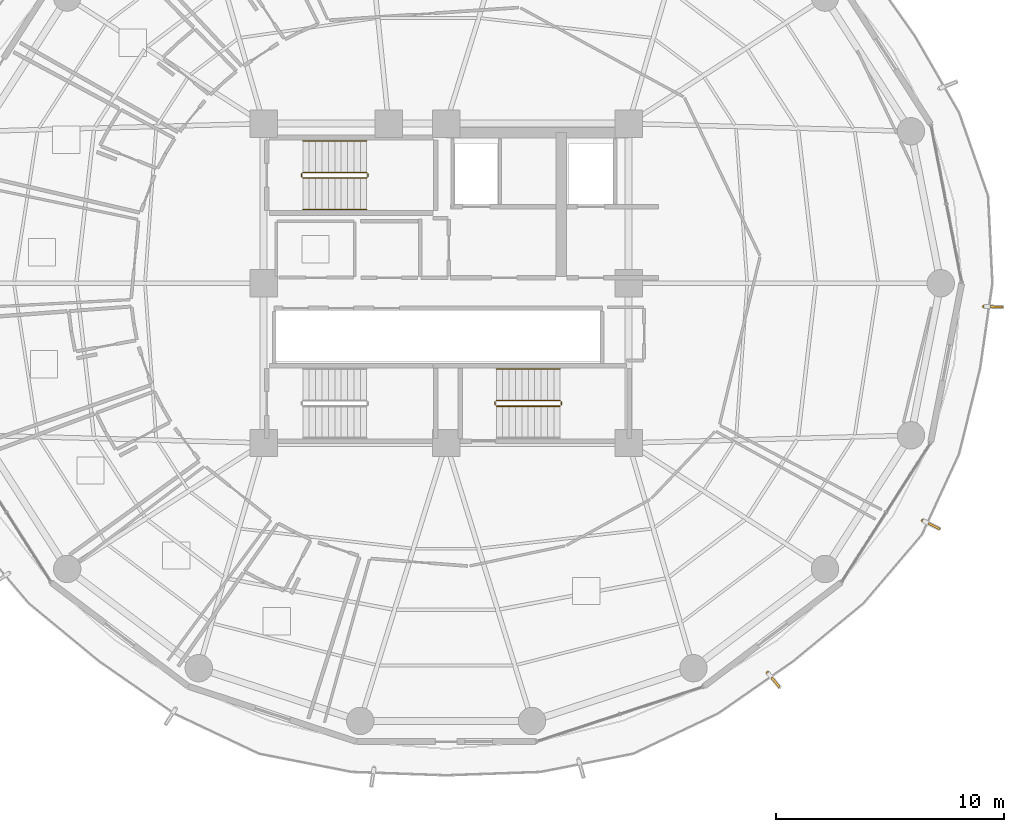
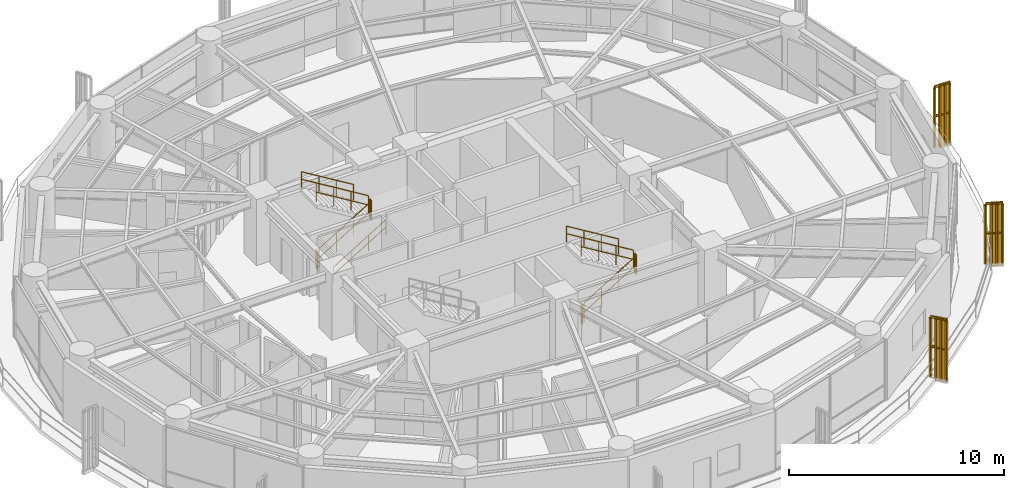
# One storey, part 28 of 29: 14 railings, 3 shading devices.
"""IFC4 building model written with IfcOpenShell, lengths in metres."""

from ifc_helpers import new_model, si_unit, direction, frame, origin, origin_2d, place, context, subcontext, project, spatial, polyline, rectangle, outline, extrude, source, transform, mapped, material, type_object, element, save


model = new_model("IFC4")

# Units and contexts
model_context = context("Model", 3, precision=1e-05, world=origin(), true_north=direction((0.0, 1.0)))
body_context = subcontext(model_context, "Body", "Model", "MODEL_VIEW")
ifc_project = project(units=[si_unit("LENGTHUNIT", "METRE"), si_unit("AREAUNIT", "SQUARE_METRE"), si_unit("VOLUMEUNIT", "CUBIC_METRE"), si_unit("PLANEANGLEUNIT", "RADIAN"), si_unit("MASSUNIT", "GRAM", prefix="KILO")], contexts=[model_context])

# Site, building, storey
site_placement = place(None, origin())
site = spatial("IfcSite", under=ifc_project, at=site_placement, CompositionType="ELEMENT")
building_placement = place(site_placement, origin())
building = spatial("IfcBuilding", under=site, at=building_placement, Name="Kelanora Arch Commons", CompositionType="ELEMENT")
storey_placement = place(building_placement, frame((0.0, 0.0, 135.60009765625)))
storey = spatial("IfcBuildingStorey", under=building, at=storey_placement, Name="L34", CompositionType="ELEMENT", Elevation=135.60009765625)

# Railings
ifc_material_1 = material(Name="Anodised bronze vertical shading fin rib assembly")
railing_type_1 = type_object("IfcRailingType", Name="RAIL-FIN-BRZ", PredefinedType="BALUSTRADE", material=ifc_material_1)
railing_1_placement = place(storey_placement, frame((88.09521484375, 40.9267578125, -0.02001953125)))
element("IfcRailing", 1, at=railing_1_placement, inside=storey, type_object=railing_type_1, Name="Sweeping Bronze Vertical Fin Blade L34-12", PredefinedType="BALUSTRADE", context=body_context, shape_type="SweptSolid", body=[
    extrude(outline(polyline([(0.06982421875, 0.0), (0.034912109375, 0.060546875), (-0.034912109375, 0.060546875), (-0.06982421875, 0.0), (-0.034912109375, -0.060546875), (0.034912109375, -0.060546875), (0.06982421875, 0.0)])), frame((0.0, 0.0, 3.419921875), z_axis=(0.636605372626, -0.771189729926, 0.0), x_axis=(0.771189729926, 0.636605372626, 0.0)), (0.0, 0.0, 1.0), 0.800048828125),
    extrude(outline(polyline([(0.06982421875, 0.0), (0.034912109375, 0.060546875), (-0.034912109375, 0.060546875), (-0.06982421875, 0.0), (-0.034912109375, -0.060546875), (0.034912109375, -0.060546875), (0.06982421875, 0.0)])), frame((0.0, 0.0, 1.7451171875), z_axis=(0.636605372626, -0.771189729926, 0.0), x_axis=(0.771189729926, 0.636605372626, 0.0)), (0.0, 0.0, 1.0), 0.800048828125),
    extrude(outline(polyline([(0.080078125, 0.0), (0.0400390625, 0.0693359375), (-0.0400390625, 0.0693359375), (-0.080078125, 0.0), (-0.0400390625, -0.0693359375), (0.0400390625, -0.0693359375), (0.080078125, 0.0)])), origin(), (0.0, 0.0, 1.0), 3.35009765625),
    extrude(outline(polyline([(0.080078125, 0.0), (0.0400390625, 0.0693359375), (-0.0400390625, 0.0693359375), (-0.080078125, 0.0), (-0.0400390625, -0.0693359375), (0.0400390625, -0.0693359375), (0.080078125, 0.0)])), frame((0.169677734375, -0.20556640625, 0.0)), (0.0, 0.0, 1.0), 3.35009765625),
    extrude(outline(polyline([(0.080078125, 0.0), (0.0400390625, 0.0693359375), (-0.0400390625, 0.0693359375), (-0.080078125, 0.0), (-0.0400390625, -0.0693359375), (0.0400390625, -0.0693359375), (0.080078125, 0.0)])), frame((0.339599609375, -0.411376953125, 0.0)), (0.0, 0.0, 1.0), 3.35009765625),
    extrude(outline(polyline([(0.080078125, 0.0), (0.0400390625, 0.0693359375), (-0.0400390625, 0.0693359375), (-0.080078125, 0.0), (-0.0400390625, -0.0693359375), (0.0400390625, -0.0693359375), (0.080078125, 0.0)])), frame((0.50927734375, -0.616943359375, 0.0)), (0.0, 0.0, 1.0), 3.35009765625),
])
railing_2_placement = place(storey_placement, frame((94.89501953125, 47.601318359375, -0.02001953125)))
element("IfcRailing", 2, at=railing_2_placement, inside=storey, type_object=railing_type_1, Name="Sweeping Bronze Vertical Fin Blade L34-13", PredefinedType="BALUSTRADE", context=body_context, shape_type="SweptSolid", body=[
    extrude(outline(polyline([(0.06982421875, 0.0), (0.034912109375, 0.060546875), (-0.034912109375, 0.060546875), (-0.06982421875, 0.0), (-0.034912109375, -0.060546875), (0.034912109375, -0.060546875), (0.06982421875, 0.0)])), frame((0.0, 0.0, 3.419921875), z_axis=(0.895158227857, -0.445748524506, 0.0), x_axis=(0.445748524506, 0.895158227857, 0.0)), (0.0, 0.0, 1.0), 0.80029296875),
    extrude(outline(polyline([(0.06982421875, 0.0), (0.034912109375, 0.060546875), (-0.034912109375, 0.060546875), (-0.06982421875, 0.0), (-0.034912109375, -0.060546875), (0.034912109375, -0.060546875), (0.06982421875, 0.0)])), frame((0.0, 0.0, 1.7451171875), z_axis=(0.895158227857, -0.445748524506, 0.0), x_axis=(0.445748524506, 0.895158227857, 0.0)), (0.0, 0.0, 1.0), 0.80029296875),
    extrude(outline(polyline([(0.080078125, 0.0), (0.0400390625, 0.0693359375), (-0.0400390625, 0.0693359375), (-0.080078125, 0.0), (-0.0400390625, -0.0693359375), (0.0400390625, -0.0693359375), (0.080078125, 0.0)])), origin(), (0.0, 0.0, 1.0), 3.35009765625),
    extrude(outline(polyline([(0.080078125, 0.0), (0.0400390625, 0.0693359375), (-0.0400390625, 0.0693359375), (-0.080078125, 0.0), (-0.0400390625, -0.0693359375), (0.0400390625, -0.0693359375), (0.080078125, 0.0)])), frame((0.23876953125, -0.118896484375, 0.0)), (0.0, 0.0, 1.0), 3.35009765625),
    extrude(outline(polyline([(0.080078125, 0.0), (0.0400390625, 0.0693359375), (-0.0400390625, 0.0693359375), (-0.080078125, 0.0), (-0.0400390625, -0.0693359375), (0.0400390625, -0.0693359375), (0.080078125, 0.0)])), frame((0.4775390625, -0.23779296875, 0.0)), (0.0, 0.0, 1.0), 3.35009765625),
    extrude(outline(polyline([(0.080078125, 0.0), (0.0400390625, 0.0693359375), (-0.0400390625, 0.0693359375), (-0.080078125, 0.0), (-0.0400390625, -0.0693359375), (0.0400390625, -0.0693359375), (0.080078125, 0.0)])), frame((0.71630859375, -0.356689453125, 0.0)), (0.0, 0.0, 1.0), 3.35009765625),
])
railing_3_placement = place(storey_placement, frame((97.572265625, 56.988037109375, -0.02001953125)))
element("IfcRailing", 3, at=railing_3_placement, inside=storey, type_object=railing_type_1, Name="Sweeping Bronze Vertical Fin Blade L34-14", PredefinedType="BALUSTRADE", context=body_context, shape_type="SweptSolid", body=[
    extrude(outline(polyline([(0.06982421875, 0.0), (0.034912109375, 0.060546875), (-0.034912109375, 0.060546875), (-0.06982421875, 0.0), (-0.034912109375, -0.060546875), (0.034912109375, -0.060546875), (0.06982421875, 0.0)])), frame((0.0, 0.0, 3.419921875), z_axis=(0.999086993986, -0.042722107257, 0.0), x_axis=(0.042722107257, 0.999086993986, 0.0)), (0.0, 0.0, 1.0), 0.800048828125),
    extrude(outline(polyline([(0.06982421875, 0.0), (0.034912109375, 0.060546875), (-0.034912109375, 0.060546875), (-0.06982421875, 0.0), (-0.034912109375, -0.060546875), (0.034912109375, -0.060546875), (0.06982421875, 0.0)])), frame((0.0, 0.0, 1.7451171875), z_axis=(0.999086993986, -0.042722107257, 0.0), x_axis=(0.042722107257, 0.999086993986, 0.0)), (0.0, 0.0, 1.0), 0.800048828125),
    extrude(outline(polyline([(0.080078125, 0.0), (0.0400390625, 0.0693359375), (-0.0400390625, 0.0693359375), (-0.080078125, 0.0), (-0.0400390625, -0.0693359375), (0.0400390625, -0.0693359375), (0.080078125, 0.0)])), origin(), (0.0, 0.0, 1.0), 3.35009765625),
    extrude(outline(polyline([(0.080078125, 0.0), (0.0400390625, 0.0693359375), (-0.0400390625, 0.0693359375), (-0.080078125, 0.0), (-0.0400390625, -0.0693359375), (0.0400390625, -0.0693359375), (0.080078125, 0.0)])), frame((0.266357421875, -0.011474609375, 0.0)), (0.0, 0.0, 1.0), 3.35009765625),
    extrude(outline(polyline([(0.080078125, 0.0), (0.0400390625, 0.0693359375), (-0.0400390625, 0.0693359375), (-0.080078125, 0.0), (-0.0400390625, -0.0693359375), (0.0400390625, -0.0693359375), (0.080078125, 0.0)])), frame((0.532958984375, -0.022705078125, 0.0)), (0.0, 0.0, 1.0), 3.35009765625),
    extrude(outline(polyline([(0.080078125, 0.0), (0.0400390625, 0.0693359375), (-0.0400390625, 0.0693359375), (-0.080078125, 0.0), (-0.0400390625, -0.0693359375), (0.0400390625, -0.0693359375), (0.080078125, 0.0)])), frame((0.79931640625, -0.0341796875, 0.0)), (0.0, 0.0, 1.0), 3.35009765625),
])
ifc_material_2 = material(Name="Painted steel stair well guard", Category="steel")
railing_type_2 = type_object("IfcRailingType", Name="RAIL-STAIR-GRD", PredefinedType="GUARDRAIL", material=ifc_material_2)
railing_4_placement = place(storey_placement, frame((67.719970703125, 62.610107421875, 0.17041015625)))
element("IfcRailing", 4, at=railing_4_placement, inside=storey, type_object=railing_type_2, Name="L34 ST-T1 stair guard 1", PredefinedType="GUARDRAIL", context=body_context, shape_type="SweptSolid", body=[
    extrude(outline(polyline([(0.02392578125, 0.0), (0.011962890625, 0.020751953125), (-0.011962890625, 0.020751953125), (-0.02392578125, 0.0), (-0.011962890625, -0.020751953125), (0.011962890625, -0.020751953125), (0.02392578125, 0.0)])), frame((0.0, 0.0, 1.076171875), z_axis=(0.854169791009, 0.0, 0.51999420009), x_axis=(0.0, 1.0, 0.0)), (0.0, 0.0, 1.0), 3.278076171875),
    extrude(outline(polyline([(0.02392578125, 0.0), (0.011962890625, 0.020751953125), (-0.011962890625, 0.020751953125), (-0.02392578125, 0.0), (-0.011962890625, -0.020751953125), (0.011962890625, -0.020751953125), (0.02392578125, 0.0)])), frame((0.0, 0.0, 0.550048828125), z_axis=(0.854169791009, 0.0, 0.51999420009), x_axis=(0.0, 1.0, 0.0)), (0.0, 0.0, 1.0), 3.278076171875),
    extrude(outline(polyline([(0.02099609375, 0.0), (0.010498046875, 0.01806640625), (-0.010498046875, 0.01806640625), (-0.02099609375, 0.0), (-0.010498046875, -0.01806640625), (0.010498046875, -0.01806640625), (0.02099609375, 0.0)])), origin(), (0.0, 0.0, 1.0), 1.052001953125),
    extrude(outline(polyline([(0.02099609375, 0.0), (0.010498046875, 0.01806640625), (-0.010498046875, 0.01806640625), (-0.02099609375, 0.0), (-0.010498046875, -0.01806640625), (0.010498046875, -0.01806640625), (0.02099609375, 0.0)])), frame((0.933349609375, 0.0, 0.568115234375)), (0.0, 0.0, 1.0), 1.052001953125),
    extrude(outline(polyline([(0.02099609375, 0.0), (0.010498046875, 0.01806640625), (-0.010498046875, 0.01806640625), (-0.02099609375, 0.0), (-0.010498046875, -0.01806640625), (0.010498046875, -0.01806640625), (0.02099609375, 0.0)])), frame((1.86669921875, 0.0, 1.136474609375)), (0.0, 0.0, 1.0), 1.052001953125),
    extrude(outline(polyline([(0.02099609375, 0.0), (0.010498046875, 0.01806640625), (-0.010498046875, 0.01806640625), (-0.02099609375, 0.0), (-0.010498046875, -0.01806640625), (0.010498046875, -0.01806640625), (0.02099609375, 0.0)])), frame((2.800048828125, 0.0, 1.70458984375)), (0.0, 0.0, 1.0), 1.052001953125),
])
railing_5_placement = place(storey_placement, frame((70.570068359375, 62.659912109375, 1.875)))
element("IfcRailing", 5, at=railing_5_placement, inside=storey, type_object=railing_type_2, Name="L34 ST-T1 stair guard 2", PredefinedType="GUARDRAIL", context=body_context, shape_type="SweptSolid", body=[
    extrude(outline(polyline([(0.02392578125, 0.0), (0.011962890625, 0.020751953125), (-0.011962890625, 0.020751953125), (-0.02392578125, 0.0), (-0.011962890625, -0.020751953125), (0.011962890625, -0.020751953125), (0.02392578125, 0.0)])), frame((0.0, 0.0, 1.076171875), z_axis=(0.0, 1.0, 0.0), x_axis=(-1.0, 0.0, 0.0)), (0.0, 0.0, 1.0), 0.150146484375),
    extrude(outline(polyline([(0.02392578125, 0.0), (0.011962890625, 0.020751953125), (-0.011962890625, 0.020751953125), (-0.02392578125, 0.0), (-0.011962890625, -0.020751953125), (0.011962890625, -0.020751953125), (0.02392578125, 0.0)])), frame((0.0, 0.0, 0.550048828125), z_axis=(0.0, 1.0, 0.0), x_axis=(-1.0, 0.0, 0.0)), (0.0, 0.0, 1.0), 0.150146484375),
    extrude(outline(polyline([(0.02099609375, 0.0), (0.010498046875, 0.01806640625), (-0.010498046875, 0.01806640625), (-0.02099609375, 0.0), (-0.010498046875, -0.01806640625), (0.010498046875, -0.01806640625), (0.02099609375, 0.0)])), origin(), (0.0, 0.0, 1.0), 1.052001953125),
    extrude(outline(polyline([(0.02099609375, 0.0), (0.010498046875, 0.01806640625), (-0.010498046875, 0.01806640625), (-0.02099609375, 0.0), (-0.010498046875, -0.01806640625), (0.010498046875, -0.01806640625), (0.02099609375, 0.0)])), frame((0.0, 0.150146484375, 0.0)), (0.0, 0.0, 1.0), 1.052001953125),
])
railing_6_placement = place(storey_placement, frame((70.52001953125, 62.860107421875, 2.04541015625)))
element("IfcRailing", 6, at=railing_6_placement, inside=storey, type_object=railing_type_2, Name="L34 ST-T1 stair guard 3", PredefinedType="GUARDRAIL", context=body_context, shape_type="SweptSolid", body=[
    extrude(outline(polyline([(0.02392578125, 0.0), (0.011962890625, 0.020751953125), (-0.011962890625, 0.020751953125), (-0.02392578125, 0.0), (-0.011962890625, -0.020751953125), (0.011962890625, -0.020751953125), (0.02392578125, 0.0)])), frame((0.0, 0.0, 1.076171875), z_axis=(-0.854169791009, 0.0, 0.51999420009), x_axis=(0.0, -1.0, 0.0)), (0.0, 0.0, 1.0), 3.278076171875),
    extrude(outline(polyline([(0.02392578125, 0.0), (0.011962890625, 0.020751953125), (-0.011962890625, 0.020751953125), (-0.02392578125, 0.0), (-0.011962890625, -0.020751953125), (0.011962890625, -0.020751953125), (0.02392578125, 0.0)])), frame((0.0, 0.0, 0.550048828125), z_axis=(-0.854169791009, 0.0, 0.51999420009), x_axis=(0.0, -1.0, 0.0)), (0.0, 0.0, 1.0), 3.278076171875),
    extrude(outline(polyline([(0.02099609375, 0.0), (0.010498046875, 0.01806640625), (-0.010498046875, 0.01806640625), (-0.02099609375, 0.0), (-0.010498046875, -0.01806640625), (0.010498046875, -0.01806640625), (0.02099609375, 0.0)])), origin(), (0.0, 0.0, 1.0), 1.052001953125),
    extrude(outline(polyline([(0.02099609375, 0.0), (0.010498046875, 0.01806640625), (-0.010498046875, 0.01806640625), (-0.02099609375, 0.0), (-0.010498046875, -0.01806640625), (0.010498046875, -0.01806640625), (0.02099609375, 0.0)])), frame((-0.933349609375, 0.0, 0.568115234375)), (0.0, 0.0, 1.0), 1.052001953125),
    extrude(outline(polyline([(0.02099609375, 0.0), (0.010498046875, 0.01806640625), (-0.010498046875, 0.01806640625), (-0.02099609375, 0.0), (-0.010498046875, -0.01806640625), (0.010498046875, -0.01806640625), (0.02099609375, 0.0)])), frame((-1.86669921875, 0.0, 1.136474609375)), (0.0, 0.0, 1.0), 1.052001953125),
    extrude(outline(polyline([(0.02099609375, 0.0), (0.010498046875, 0.01806640625), (-0.010498046875, 0.01806640625), (-0.02099609375, 0.0), (-0.010498046875, -0.01806640625), (0.010498046875, -0.01806640625), (0.02099609375, 0.0)])), frame((-2.800048828125, 0.0, 1.70458984375)), (0.0, 0.0, 1.0), 1.052001953125),
])
railing_7_placement = place(storey_placement, frame((67.669921875, 62.659912109375, 0.0)))
element("IfcRailing", 7, at=railing_7_placement, inside=storey, type_object=railing_type_2, Name="L34 ST-T1 stair guard 4", PredefinedType="GUARDRAIL", context=body_context, shape_type="SweptSolid", body=[
    extrude(outline(polyline([(0.02392578125, 0.0), (0.011962890625, 0.020751953125), (-0.011962890625, 0.020751953125), (-0.02392578125, 0.0), (-0.011962890625, -0.020751953125), (0.011962890625, -0.020751953125), (0.02392578125, 0.0)])), frame((0.0, 0.0, 1.076171875), z_axis=(0.0, 1.0, 0.0), x_axis=(-1.0, 0.0, 0.0)), (0.0, 0.0, 1.0), 0.150146484375),
    extrude(outline(polyline([(0.02392578125, 0.0), (0.011962890625, 0.020751953125), (-0.011962890625, 0.020751953125), (-0.02392578125, 0.0), (-0.011962890625, -0.020751953125), (0.011962890625, -0.020751953125), (0.02392578125, 0.0)])), frame((0.0, 0.0, 0.550048828125), z_axis=(0.0, 1.0, 0.0), x_axis=(-1.0, 0.0, 0.0)), (0.0, 0.0, 1.0), 0.150146484375),
    extrude(outline(polyline([(0.02099609375, 0.0), (0.010498046875, 0.01806640625), (-0.010498046875, 0.01806640625), (-0.02099609375, 0.0), (-0.010498046875, -0.01806640625), (0.010498046875, -0.01806640625), (0.02099609375, 0.0)])), origin(), (0.0, 0.0, 1.0), 1.052001953125),
    extrude(outline(polyline([(0.02099609375, 0.0), (0.010498046875, 0.01806640625), (-0.010498046875, 0.01806640625), (-0.02099609375, 0.0), (-0.010498046875, -0.01806640625), (0.010498046875, -0.01806640625), (0.02099609375, 0.0)])), frame((0.0, 0.150146484375, 0.0)), (0.0, 0.0, 1.0), 1.052001953125),
])
railing_8_placement = place(storey_placement, frame((76.199951171875, 52.610107421875, 0.17041015625)))
element("IfcRailing", 8, at=railing_8_placement, inside=storey, type_object=railing_type_2, Name="L34 ST-T2 stair guard 1", PredefinedType="GUARDRAIL", context=body_context, shape_type="SweptSolid", body=[
    extrude(outline(polyline([(0.02392578125, 0.0), (0.011962890625, 0.020751953125), (-0.011962890625, 0.020751953125), (-0.02392578125, 0.0), (-0.011962890625, -0.020751953125), (0.011962890625, -0.020751953125), (0.02392578125, 0.0)])), frame((0.0, 0.0, 1.076171875), z_axis=(0.854169791009, 0.0, 0.51999420009), x_axis=(0.0, 1.0, 0.0)), (0.0, 0.0, 1.0), 3.278076171875),
    extrude(outline(polyline([(0.02392578125, 0.0), (0.011962890625, 0.020751953125), (-0.011962890625, 0.020751953125), (-0.02392578125, 0.0), (-0.011962890625, -0.020751953125), (0.011962890625, -0.020751953125), (0.02392578125, 0.0)])), frame((0.0, 0.0, 0.550048828125), z_axis=(0.854169791009, 0.0, 0.51999420009), x_axis=(0.0, 1.0, 0.0)), (0.0, 0.0, 1.0), 3.278076171875),
    extrude(outline(polyline([(0.02099609375, 0.0), (0.010498046875, 0.01806640625), (-0.010498046875, 0.01806640625), (-0.02099609375, 0.0), (-0.010498046875, -0.01806640625), (0.010498046875, -0.01806640625), (0.02099609375, 0.0)])), origin(), (0.0, 0.0, 1.0), 1.052001953125),
    extrude(outline(polyline([(0.02099609375, 0.0), (0.010498046875, 0.01806640625), (-0.010498046875, 0.01806640625), (-0.02099609375, 0.0), (-0.010498046875, -0.01806640625), (0.010498046875, -0.01806640625), (0.02099609375, 0.0)])), frame((0.933349609375, 0.0, 0.568115234375)), (0.0, 0.0, 1.0), 1.052001953125),
    extrude(outline(polyline([(0.02099609375, 0.0), (0.010498046875, 0.01806640625), (-0.010498046875, 0.01806640625), (-0.02099609375, 0.0), (-0.010498046875, -0.01806640625), (0.010498046875, -0.01806640625), (0.02099609375, 0.0)])), frame((1.86669921875, 0.0, 1.136474609375)), (0.0, 0.0, 1.0), 1.052001953125),
    extrude(outline(polyline([(0.02099609375, 0.0), (0.010498046875, 0.01806640625), (-0.010498046875, 0.01806640625), (-0.02099609375, 0.0), (-0.010498046875, -0.01806640625), (0.010498046875, -0.01806640625), (0.02099609375, 0.0)])), frame((2.800048828125, 0.0, 1.70458984375)), (0.0, 0.0, 1.0), 1.052001953125),
])
railing_9_placement = place(storey_placement, frame((79.050048828125, 52.659912109375, 1.875)))
element("IfcRailing", 9, at=railing_9_placement, inside=storey, type_object=railing_type_2, Name="L34 ST-T2 stair guard 2", PredefinedType="GUARDRAIL", context=body_context, shape_type="SweptSolid", body=[
    extrude(outline(polyline([(0.02392578125, 0.0), (0.011962890625, 0.020751953125), (-0.011962890625, 0.020751953125), (-0.02392578125, 0.0), (-0.011962890625, -0.020751953125), (0.011962890625, -0.020751953125), (0.02392578125, 0.0)])), frame((0.0, 0.0, 1.076171875), z_axis=(0.0, 1.0, 0.0), x_axis=(-1.0, 0.0, 0.0)), (0.0, 0.0, 1.0), 0.150146484375),
    extrude(outline(polyline([(0.02392578125, 0.0), (0.011962890625, 0.020751953125), (-0.011962890625, 0.020751953125), (-0.02392578125, 0.0), (-0.011962890625, -0.020751953125), (0.011962890625, -0.020751953125), (0.02392578125, 0.0)])), frame((0.0, 0.0, 0.550048828125), z_axis=(0.0, 1.0, 0.0), x_axis=(-1.0, 0.0, 0.0)), (0.0, 0.0, 1.0), 0.150146484375),
    extrude(outline(polyline([(0.02099609375, 0.0), (0.010498046875, 0.01806640625), (-0.010498046875, 0.01806640625), (-0.02099609375, 0.0), (-0.010498046875, -0.01806640625), (0.010498046875, -0.01806640625), (0.02099609375, 0.0)])), origin(), (0.0, 0.0, 1.0), 1.052001953125),
    extrude(outline(polyline([(0.02099609375, 0.0), (0.010498046875, 0.01806640625), (-0.010498046875, 0.01806640625), (-0.02099609375, 0.0), (-0.010498046875, -0.01806640625), (0.010498046875, -0.01806640625), (0.02099609375, 0.0)])), frame((0.0, 0.150146484375, 0.0)), (0.0, 0.0, 1.0), 1.052001953125),
])
railing_10_placement = place(storey_placement, frame((79.0, 52.860107421875, 2.04541015625)))
element("IfcRailing", 10, at=railing_10_placement, inside=storey, type_object=railing_type_2, Name="L34 ST-T2 stair guard 3", PredefinedType="GUARDRAIL", context=body_context, shape_type="SweptSolid", body=[
    extrude(outline(polyline([(0.02392578125, 0.0), (0.011962890625, 0.020751953125), (-0.011962890625, 0.020751953125), (-0.02392578125, 0.0), (-0.011962890625, -0.020751953125), (0.011962890625, -0.020751953125), (0.02392578125, 0.0)])), frame((0.0, 0.0, 1.076171875), z_axis=(-0.854169791009, 0.0, 0.51999420009), x_axis=(0.0, -1.0, 0.0)), (0.0, 0.0, 1.0), 3.278076171875),
    extrude(outline(polyline([(0.02392578125, 0.0), (0.011962890625, 0.020751953125), (-0.011962890625, 0.020751953125), (-0.02392578125, 0.0), (-0.011962890625, -0.020751953125), (0.011962890625, -0.020751953125), (0.02392578125, 0.0)])), frame((0.0, 0.0, 0.550048828125), z_axis=(-0.854169791009, 0.0, 0.51999420009), x_axis=(0.0, -1.0, 0.0)), (0.0, 0.0, 1.0), 3.278076171875),
    extrude(outline(polyline([(0.02099609375, 0.0), (0.010498046875, 0.01806640625), (-0.010498046875, 0.01806640625), (-0.02099609375, 0.0), (-0.010498046875, -0.01806640625), (0.010498046875, -0.01806640625), (0.02099609375, 0.0)])), origin(), (0.0, 0.0, 1.0), 1.052001953125),
    extrude(outline(polyline([(0.02099609375, 0.0), (0.010498046875, 0.01806640625), (-0.010498046875, 0.01806640625), (-0.02099609375, 0.0), (-0.010498046875, -0.01806640625), (0.010498046875, -0.01806640625), (0.02099609375, 0.0)])), frame((-0.933349609375, 0.0, 0.568115234375)), (0.0, 0.0, 1.0), 1.052001953125),
    extrude(outline(polyline([(0.02099609375, 0.0), (0.010498046875, 0.01806640625), (-0.010498046875, 0.01806640625), (-0.02099609375, 0.0), (-0.010498046875, -0.01806640625), (0.010498046875, -0.01806640625), (0.02099609375, 0.0)])), frame((-1.86669921875, 0.0, 1.136474609375)), (0.0, 0.0, 1.0), 1.052001953125),
    extrude(outline(polyline([(0.02099609375, 0.0), (0.010498046875, 0.01806640625), (-0.010498046875, 0.01806640625), (-0.02099609375, 0.0), (-0.010498046875, -0.01806640625), (0.010498046875, -0.01806640625), (0.02099609375, 0.0)])), frame((-2.800048828125, 0.0, 1.70458984375)), (0.0, 0.0, 1.0), 1.052001953125),
])
railing_11_placement = place(storey_placement, frame((76.14990234375, 52.659912109375, 0.0)))
element("IfcRailing", 11, at=railing_11_placement, inside=storey, type_object=railing_type_2, Name="L34 ST-T2 stair guard 4", PredefinedType="GUARDRAIL", context=body_context, shape_type="SweptSolid", body=[
    extrude(outline(polyline([(0.02392578125, 0.0), (0.011962890625, 0.020751953125), (-0.011962890625, 0.020751953125), (-0.02392578125, 0.0), (-0.011962890625, -0.020751953125), (0.011962890625, -0.020751953125), (0.02392578125, 0.0)])), frame((0.0, 0.0, 1.076171875), z_axis=(0.0, 1.0, 0.0), x_axis=(-1.0, 0.0, 0.0)), (0.0, 0.0, 1.0), 0.150146484375),
    extrude(outline(polyline([(0.02392578125, 0.0), (0.011962890625, 0.020751953125), (-0.011962890625, 0.020751953125), (-0.02392578125, 0.0), (-0.011962890625, -0.020751953125), (0.011962890625, -0.020751953125), (0.02392578125, 0.0)])), frame((0.0, 0.0, 0.550048828125), z_axis=(0.0, 1.0, 0.0), x_axis=(-1.0, 0.0, 0.0)), (0.0, 0.0, 1.0), 0.150146484375),
    extrude(outline(polyline([(0.02099609375, 0.0), (0.010498046875, 0.01806640625), (-0.010498046875, 0.01806640625), (-0.02099609375, 0.0), (-0.010498046875, -0.01806640625), (0.010498046875, -0.01806640625), (0.02099609375, 0.0)])), origin(), (0.0, 0.0, 1.0), 1.052001953125),
    extrude(outline(polyline([(0.02099609375, 0.0), (0.010498046875, 0.01806640625), (-0.010498046875, 0.01806640625), (-0.02099609375, 0.0), (-0.010498046875, -0.01806640625), (0.010498046875, -0.01806640625), (0.02099609375, 0.0)])), frame((0.0, 0.150146484375, 0.0)), (0.0, 0.0, 1.0), 1.052001953125),
])
ifc_material_3 = material(Name="Brushed stainless steel stair handrail", Category="steel")
railing_type_3 = type_object("IfcRailingType", Name="RAIL-STAIR-HND", PredefinedType="HANDRAIL", material=ifc_material_3)
railing_12_placement = place(storey_placement, frame((67.719970703125, 61.22998046875, 0.17041015625)))
element("IfcRailing", 12, at=railing_12_placement, inside=storey, type_object=railing_type_3, Name="L34 ST-T1 stair handrail 1", PredefinedType="HANDRAIL", context=body_context, shape_type="SweptSolid", body=[
    extrude(outline(polyline([(0.02392578125, 0.0), (0.011962890625, 0.020751953125), (-0.011962890625, 0.020751953125), (-0.02392578125, 0.0), (-0.011962890625, -0.020751953125), (0.011962890625, -0.020751953125), (0.02392578125, 0.0)])), frame((0.0, 0.0, 0.8759765625), z_axis=(0.854169791009, 0.0, 0.51999420009), x_axis=(0.0, 1.0, 0.0)), (0.0, 0.0, 1.0), 3.278076171875),
    extrude(outline(polyline([(0.02392578125, 0.0), (0.011962890625, 0.020751953125), (-0.011962890625, 0.020751953125), (-0.02392578125, 0.0), (-0.011962890625, -0.020751953125), (0.011962890625, -0.020751953125), (0.02392578125, 0.0)])), frame((0.0, 0.0, 0.449951171875), z_axis=(0.854169791009, 0.0, 0.51999420009), x_axis=(0.0, 1.0, 0.0)), (0.0, 0.0, 1.0), 3.278076171875),
    extrude(outline(polyline([(0.02099609375, 0.0), (0.010498046875, 0.01806640625), (-0.010498046875, 0.01806640625), (-0.02099609375, 0.0), (-0.010498046875, -0.01806640625), (0.010498046875, -0.01806640625), (0.02099609375, 0.0)])), origin(), (0.0, 0.0, 1.0), 0.851806640625),
    extrude(outline(polyline([(0.02099609375, 0.0), (0.010498046875, 0.01806640625), (-0.010498046875, 0.01806640625), (-0.02099609375, 0.0), (-0.010498046875, -0.01806640625), (0.010498046875, -0.01806640625), (0.02099609375, 0.0)])), frame((0.933349609375, 0.0, 0.568115234375)), (0.0, 0.0, 1.0), 0.851806640625),
    extrude(outline(polyline([(0.02099609375, 0.0), (0.010498046875, 0.01806640625), (-0.010498046875, 0.01806640625), (-0.02099609375, 0.0), (-0.010498046875, -0.01806640625), (0.010498046875, -0.01806640625), (0.02099609375, 0.0)])), frame((1.86669921875, 0.0, 1.136474609375)), (0.0, 0.0, 1.0), 0.851806640625),
    extrude(outline(polyline([(0.02099609375, 0.0), (0.010498046875, 0.01806640625), (-0.010498046875, 0.01806640625), (-0.02099609375, 0.0), (-0.010498046875, -0.01806640625), (0.010498046875, -0.01806640625), (0.02099609375, 0.0)])), frame((2.800048828125, 0.0, 1.70458984375)), (0.0, 0.0, 1.0), 0.851806640625),
])
railing_13_placement = place(storey_placement, frame((70.52001953125, 64.239990234375, 2.04541015625)))
element("IfcRailing", 13, at=railing_13_placement, inside=storey, type_object=railing_type_3, Name="L34 ST-T1 stair handrail 2", PredefinedType="HANDRAIL", context=body_context, shape_type="SweptSolid", body=[
    extrude(outline(polyline([(0.02392578125, 0.0), (0.011962890625, 0.020751953125), (-0.011962890625, 0.020751953125), (-0.02392578125, 0.0), (-0.011962890625, -0.020751953125), (0.011962890625, -0.020751953125), (0.02392578125, 0.0)])), frame((0.0, 0.0, 0.8759765625), z_axis=(-0.854169791009, 0.0, 0.51999420009), x_axis=(0.0, -1.0, 0.0)), (0.0, 0.0, 1.0), 3.278076171875),
    extrude(outline(polyline([(0.02392578125, 0.0), (0.011962890625, 0.020751953125), (-0.011962890625, 0.020751953125), (-0.02392578125, 0.0), (-0.011962890625, -0.020751953125), (0.011962890625, -0.020751953125), (0.02392578125, 0.0)])), frame((0.0, 0.0, 0.449951171875), z_axis=(-0.854169791009, 0.0, 0.51999420009), x_axis=(0.0, -1.0, 0.0)), (0.0, 0.0, 1.0), 3.278076171875),
    extrude(outline(polyline([(0.02099609375, 0.0), (0.010498046875, 0.01806640625), (-0.010498046875, 0.01806640625), (-0.02099609375, 0.0), (-0.010498046875, -0.01806640625), (0.010498046875, -0.01806640625), (0.02099609375, 0.0)])), origin(), (0.0, 0.0, 1.0), 0.851806640625),
    extrude(outline(polyline([(0.02099609375, 0.0), (0.010498046875, 0.01806640625), (-0.010498046875, 0.01806640625), (-0.02099609375, 0.0), (-0.010498046875, -0.01806640625), (0.010498046875, -0.01806640625), (0.02099609375, 0.0)])), frame((-0.933349609375, 0.0, 0.568115234375)), (0.0, 0.0, 1.0), 0.851806640625),
    extrude(outline(polyline([(0.02099609375, 0.0), (0.010498046875, 0.01806640625), (-0.010498046875, 0.01806640625), (-0.02099609375, 0.0), (-0.010498046875, -0.01806640625), (0.010498046875, -0.01806640625), (0.02099609375, 0.0)])), frame((-1.86669921875, 0.0, 1.136474609375)), (0.0, 0.0, 1.0), 0.851806640625),
    extrude(outline(polyline([(0.02099609375, 0.0), (0.010498046875, 0.01806640625), (-0.010498046875, 0.01806640625), (-0.02099609375, 0.0), (-0.010498046875, -0.01806640625), (0.010498046875, -0.01806640625), (0.02099609375, 0.0)])), frame((-2.800048828125, 0.0, 1.70458984375)), (0.0, 0.0, 1.0), 0.851806640625),
])
railing_14_placement = place(storey_placement, frame((79.0, 54.239990234375, 2.04541015625)))
element("IfcRailing", 14, at=railing_14_placement, inside=storey, type_object=railing_type_3, Name="L34 ST-T2 stair handrail 2", PredefinedType="HANDRAIL", context=body_context, shape_type="SweptSolid", body=[
    extrude(outline(polyline([(0.02392578125, 0.0), (0.011962890625, 0.020751953125), (-0.011962890625, 0.020751953125), (-0.02392578125, 0.0), (-0.011962890625, -0.020751953125), (0.011962890625, -0.020751953125), (0.02392578125, 0.0)])), frame((0.0, 0.0, 0.8759765625), z_axis=(-0.854169791009, 0.0, 0.51999420009), x_axis=(0.0, -1.0, 0.0)), (0.0, 0.0, 1.0), 3.278076171875),
    extrude(outline(polyline([(0.02392578125, 0.0), (0.011962890625, 0.020751953125), (-0.011962890625, 0.020751953125), (-0.02392578125, 0.0), (-0.011962890625, -0.020751953125), (0.011962890625, -0.020751953125), (0.02392578125, 0.0)])), frame((0.0, 0.0, 0.449951171875), z_axis=(-0.854169791009, 0.0, 0.51999420009), x_axis=(0.0, -1.0, 0.0)), (0.0, 0.0, 1.0), 3.278076171875),
    extrude(outline(polyline([(0.02099609375, 0.0), (0.010498046875, 0.01806640625), (-0.010498046875, 0.01806640625), (-0.02099609375, 0.0), (-0.010498046875, -0.01806640625), (0.010498046875, -0.01806640625), (0.02099609375, 0.0)])), origin(), (0.0, 0.0, 1.0), 0.851806640625),
    extrude(outline(polyline([(0.02099609375, 0.0), (0.010498046875, 0.01806640625), (-0.010498046875, 0.01806640625), (-0.02099609375, 0.0), (-0.010498046875, -0.01806640625), (0.010498046875, -0.01806640625), (0.02099609375, 0.0)])), frame((-0.933349609375, 0.0, 0.568115234375)), (0.0, 0.0, 1.0), 0.851806640625),
    extrude(outline(polyline([(0.02099609375, 0.0), (0.010498046875, 0.01806640625), (-0.010498046875, 0.01806640625), (-0.02099609375, 0.0), (-0.010498046875, -0.01806640625), (0.010498046875, -0.01806640625), (0.02099609375, 0.0)])), frame((-1.86669921875, 0.0, 1.136474609375)), (0.0, 0.0, 1.0), 0.851806640625),
    extrude(outline(polyline([(0.02099609375, 0.0), (0.010498046875, 0.01806640625), (-0.010498046875, 0.01806640625), (-0.02099609375, 0.0), (-0.010498046875, -0.01806640625), (0.010498046875, -0.01806640625), (0.02099609375, 0.0)])), frame((-2.800048828125, 0.0, 1.70458984375)), (0.0, 0.0, 1.0), 0.851806640625),
])

# Shading devices
ifc_material_4 = material(Name="Terracotta ceramic-clad extruded aluminium fin", Category="masonry")
shading_device_type = type_object("IfcShadingDeviceType", Name="SHD-FIN-WAIST", PredefinedType="USERDEFINED", material=ifc_material_4)
shared_shape = source(origin(), body_context, "Body", "SweptSolid", [
    extrude(rectangle(XDim=0.56005859375, YDim=0.090087890625, at=origin_2d()), origin(), (0.0, 0.0, 1.0), 3.610107421875),
])
for number, where, z_axis, x_axis, name in (
    (15, (88.43896484375, 40.510498046875, -0.14013671875), (0.0, 0.0, 1.0), (0.636616760808, -0.771180329014, 0.0), "Sweeping Terracotta Fin L34-12"),
    (16, (95.378662109375, 47.360595703125, -0.14013671875), (0.0, 0.0, 1.0), (0.895245648325, -0.445572922377, 0.0), "Sweeping Terracotta Fin L34-13"),
    (17, (98.11181640625, 56.965087890625, -0.14013671875), (0.0, 0.0, 1.0), (0.999078430194, -0.042921909558, 0.0), "Sweeping Terracotta Fin L34-14"),
):
    element("IfcShadingDevice", number, at=place(storey_placement, frame(where, z_axis=z_axis, x_axis=x_axis)), inside=storey, type_object=shading_device_type, Name=name, ObjectType="FIN", PredefinedType="USERDEFINED", context=body_context, shape_type="MappedRepresentation", body=[
        mapped(shared_shape, transform((0.0, 0.0, 0.0), scale=1.0)),
    ])

save(model, "model.ifc")
